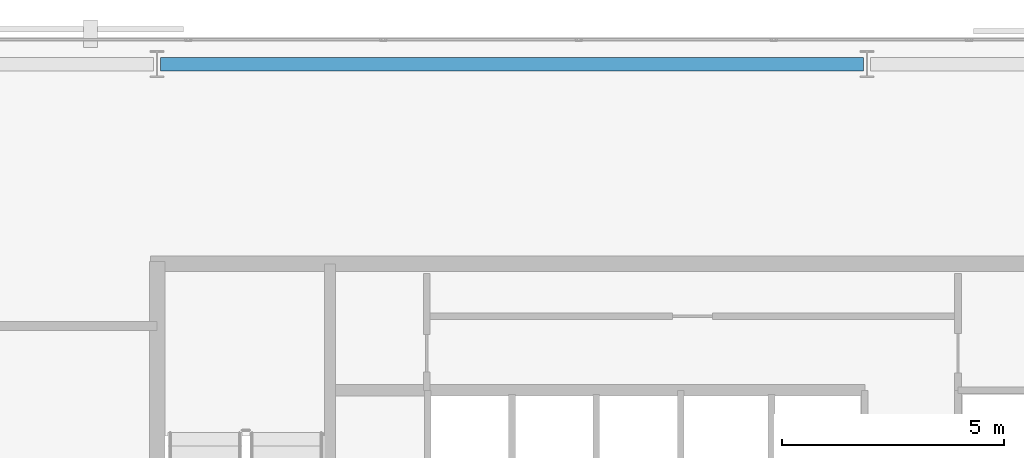
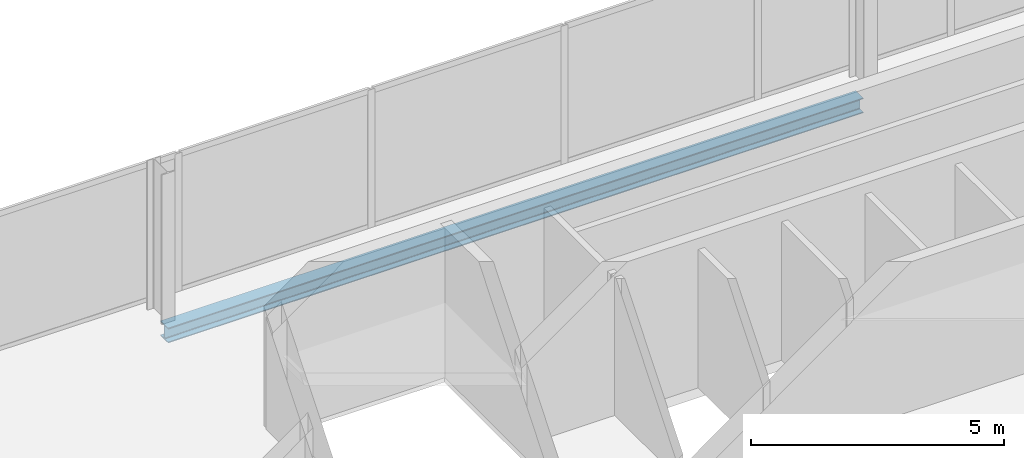
# One storey, part 21 of 32: 1 beam.
"""IFC4 building model written with IfcOpenShell, lengths in metres."""

from ifc_helpers import new_model, si_unit, direction, frame, origin, origin_2d, place, context, subcontext, project, spatial, i_section, extrude, material, material_profile, profile_set, type_object, element, save


model = new_model("IFC4")

# Units and contexts
model_context = context("Model", 3, precision=1e-05, world=origin(), true_north=direction((0.0, 1.0)))
body_context = subcontext(model_context, "Body", "Model", "MODEL_VIEW")
ifc_project = project(units=[si_unit("LENGTHUNIT", "METRE"), si_unit("AREAUNIT", "SQUARE_METRE"), si_unit("VOLUMEUNIT", "CUBIC_METRE"), si_unit("PLANEANGLEUNIT", "RADIAN"), si_unit("MASSUNIT", "GRAM", prefix="KILO")], contexts=[model_context])

# Site, building, storey
site_placement = place(None, origin())
site = spatial("IfcSite", under=ifc_project, at=site_placement, CompositionType="ELEMENT")
building_placement = place(site_placement, origin())
building = spatial("IfcBuilding", under=site, at=building_placement, Name="Catumbela Crestline Tower", CompositionType="ELEMENT")
storey_placement = place(building_placement, frame((0.0, 0.0, 122.4)))
storey = spatial("IfcBuildingStorey", under=building, at=storey_placement, Name="L31", CompositionType="ELEMENT", Elevation=122.4)

# Beam
ifc_material = material(Name="Structural steel S355J2", Category="steel")
ifc_material_profile = material_profile(ifc_material, i_section(OverallWidth=0.3, OverallDepth=0.36, WebThickness=0.0125, FlangeThickness=0.0225, FilletRadius=0.027, at=origin_2d()), Name="HEB 360")
ifc_profile_set = profile_set([ifc_material_profile], Name="Structural steel S355J2")
beam_type = type_object("IfcBeamType", Name="BS-HEB360", PredefinedType="SPANDREL", material=ifc_profile_set)
beam_placement = place(storey_placement, frame((16.08, 47.4, -0.44), z_axis=(1.0, 0.0, 0.0), x_axis=(0.0, 1.0, 0.0)))
element("IfcBeam", 1, at=beam_placement, inside=storey, type_object=beam_type, Name="L31 Spandrel SP-L31-NF19", PredefinedType="SPANDREL", context=body_context, shape_type="SweptSolid", body=[
    extrude(i_section(OverallWidth=0.3, OverallDepth=0.36, WebThickness=0.0125, FlangeThickness=0.0225, FilletRadius=0.027, at=origin_2d()), origin(), (0.0, 0.0, 1.0), 15.84),
])

save(model, "model.ifc")
